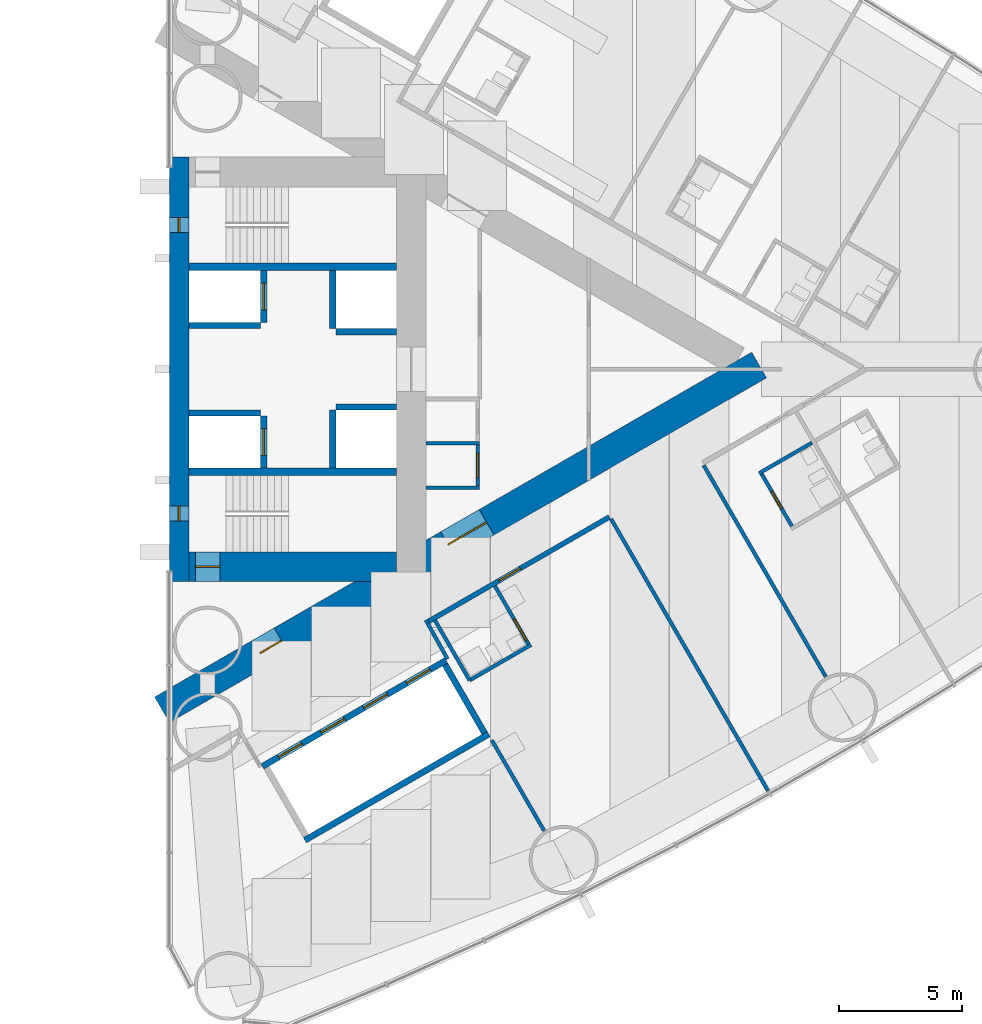
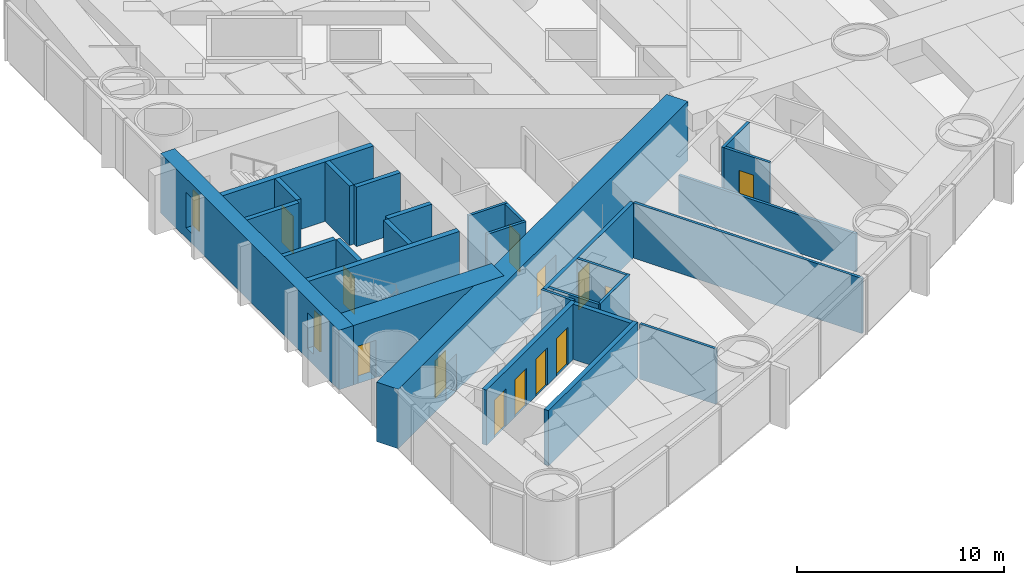
# One storey, part 14 of 19: 29 walls, 13 doors, 2 windows, 15 openings.
"""IFC4 building model written with IfcOpenShell, lengths in metres."""

from ifc_helpers import new_model, si_unit, direction, frame, frame_2d, origin, place, context, subcontext, project, spatial, rectangle, extrude, material, layer, layer_set, type_object, element, fill, save


model = new_model("IFC4")

# Units and contexts
model_context = context("Model", 3, precision=1e-05, world=origin(), true_north=direction((0.0, 1.0)))
body_context = subcontext(model_context, "Body", "Model", "MODEL_VIEW")
ifc_project = project(units=[si_unit("LENGTHUNIT", "METRE"), si_unit("AREAUNIT", "SQUARE_METRE"), si_unit("VOLUMEUNIT", "CUBIC_METRE"), si_unit("PLANEANGLEUNIT", "RADIAN"), si_unit("MASSUNIT", "GRAM", prefix="KILO")], contexts=[model_context])

# Site, building, storey
site_placement = place(None, origin())
site = spatial("IfcSite", under=ifc_project, at=site_placement, CompositionType="ELEMENT")
building_placement = place(site_placement, origin())
building = spatial("IfcBuilding", under=site, at=building_placement, Name="Lancet Gate Hotel", CompositionType="ELEMENT")
storey_placement = place(building_placement, frame((0.0, 0.0, 25.0)))
storey = spatial("IfcBuildingStorey", under=building, at=storey_placement, Name="L05", CompositionType="ELEMENT", Elevation=25.0)

# Wall, opening, door
ifc_material_1 = material(Name="Moisture resistant board partition")
ifc_layer_1 = layer(ifc_material_1, 0.14990234375)
ifc_layer_set_1 = layer_set([ifc_layer_1], Name="Bathroom wall 150")
wall_type_1 = type_object("IfcWallType", Name="Bathroom wall 150", PredefinedType="PARTITIONING", material=ifc_layer_set_1)
wall_1_placement = place(storey_placement, frame((51.47119140625, -4.1748046875, 0.0), z_axis=(0.0, 0.0, 1.0), x_axis=(0.500006934395, -0.866021400173, 0.0)))
wall_1 = element("IfcWall", 1, at=wall_1_placement, inside=storey, type_object=wall_type_1, Name="T2 bathroom wall 150 L05", PredefinedType="PARTITIONING", context=body_context, shape_type="SweptSolid", body=[
    extrude(rectangle(XDim=2.60009765625, YDim=0.14990234375, at=frame_2d((1.300048828125, 0.0))), origin(), (0.0, 0.0, 1.0), 3.25),
])
opening_1_placement = place(wall_1_placement, frame((0.89990234375, 0.0, 0.0)))
opening_1 = element("IfcOpeningElement", 2, at=opening_1_placement, cuts=wall_1, Name="Opening 0556-B", PredefinedType="OPENING", context=body_context, shape_type="SweptSolid", body=[
    extrude(rectangle(XDim=0.800048828125, YDim=2.199951171875, at=frame_2d((0.39990234375, 1.10009765625))), frame((0.0, 0.0849609375, 0.0), z_axis=(0.0, -1.0, 0.0), x_axis=(1.0, 0.0, 0.0)), (0.0, 0.0, 1.0), 0.169921875),
])
ifc_material_2 = material(Name="Timber door set", Category="wood")
door_type_1 = type_object("IfcDoorType", Name="Bathroom door 800", OperationType="SINGLE_SWING_RIGHT", PredefinedType="DOOR", material=ifc_material_2)
door_1_placement = place(opening_1_placement, origin())
door_1 = element("IfcDoor", 3, at=door_1_placement, inside=storey, type_object=door_type_1, Name="0556-B", OperationType="SINGLE_SWING_RIGHT", OverallHeight=2.199951171875, OverallWidth=0.800048828125, PredefinedType="DOOR", context=body_context, shape_type="SweptSolid", body=[
    extrude(rectangle(XDim=0.800048828125, YDim=2.199951171875, at=frame_2d((0.39990234375, 1.10009765625))), frame((0.0, 0.02490234375, 0.0), z_axis=(0.0, -1.0, 0.0), x_axis=(1.0, 0.0, 0.0)), (0.0, 0.0, 1.0), 0.050048828125),
])
fill(opening_1, door_1)

# Walls
wall_2_placement = place(storey_placement, frame((51.40625, -4.21240234375, 0.0), z_axis=(0.0, 0.0, 1.0), x_axis=(0.866031185235, 0.4999899861, 0.0)))
element("IfcWall", 4, at=wall_2_placement, inside=storey, type_object=wall_type_1, Name="T2 bathroom wall 150 L05", PredefinedType="PARTITIONING", context=body_context, shape_type="SweptSolid", body=[
    extrude(rectangle(XDim=2.47509765625, YDim=0.14990234375, at=frame_2d((1.237548828125, 0.0))), origin(), (0.0, 0.0, 1.0), 3.25),
])
wall_3_placement = place(storey_placement, frame((39.669921875, -12.60498046875, 0.0), z_axis=(0.0, 0.0, 1.0), x_axis=(0.866018712932, 0.500011588718, 0.0)))
element("IfcWall", 5, at=wall_3_placement, inside=storey, type_object=wall_type_1, Name="T2 bathroom wall 150 L05", PredefinedType="PARTITIONING", context=body_context, shape_type="SweptSolid", body=[
    extrude(rectangle(XDim=2.875, YDim=0.14990234375, at=frame_2d((1.4375, 0.0))), origin(), (0.0, 0.0, 1.0), 3.25),
])

# Wall, opening, door
wall_4_placement = place(storey_placement, frame((40.694580078125, -8.780029296875, 0.0), z_axis=(0.0, 0.0, 1.0), x_axis=(0.500049511043, -0.865996816683, 0.0)))
wall_4 = element("IfcWall", 6, at=wall_4_placement, inside=storey, type_object=wall_type_1, Name="T2 bathroom wall 150 L05", PredefinedType="PARTITIONING", context=body_context, shape_type="SweptSolid", body=[
    extrude(rectangle(XDim=2.800048828125, YDim=0.14990234375, at=frame_2d((1.39990234375, 0.0))), origin(), (0.0, 0.0, 1.0), 3.25),
])
opening_2_placement = place(wall_4_placement, frame((1.550048828125, 0.0, 0.0)))
opening_2 = element("IfcOpeningElement", 7, at=opening_2_placement, cuts=wall_4, Name="Opening 0553-B", PredefinedType="OPENING", context=body_context, shape_type="SweptSolid", body=[
    extrude(rectangle(XDim=1.0, YDim=2.199951171875, at=frame_2d((0.5, 1.10009765625))), frame((0.0, 0.0849609375, 0.0), z_axis=(0.0, -1.0, 0.0), x_axis=(1.0, 0.0, 0.0)), (0.0, 0.0, 1.0), 0.169921875),
])
ifc_material_3 = material(Name="Timber door set", Category="wood")
door_type_2 = type_object("IfcDoorType", Name="Accessible en-suite door 1000", OperationType="SINGLE_SWING_RIGHT", PredefinedType="DOOR", material=ifc_material_3)
door_2_placement = place(opening_2_placement, origin())
door_2 = element("IfcDoor", 8, at=door_2_placement, inside=storey, type_object=door_type_2, Name="0553-B", OperationType="SINGLE_SWING_RIGHT", OverallHeight=2.199951171875, OverallWidth=1.0, PredefinedType="DOOR", context=body_context, shape_type="SweptSolid", body=[
    extrude(rectangle(XDim=1.0, YDim=2.199951171875, at=frame_2d((0.5, 1.10009765625))), frame((0.0, 0.02490234375, 0.0), z_axis=(0.0, -1.0, 0.0), x_axis=(1.0, 0.0, 0.0)), (0.0, 0.0, 1.0), 0.050048828125),
])
fill(opening_2, door_2)

# Wall
wall_5_placement = place(storey_placement, frame((38.269775390625, -10.18017578125, 0.0), z_axis=(0.0, 0.0, 1.0), x_axis=(0.500049511043, -0.865996816683, 0.0)))
element("IfcWall", 9, at=wall_5_placement, inside=storey, type_object=wall_type_1, Name="T2 bathroom wall 150 L05", PredefinedType="PARTITIONING", context=body_context, shape_type="SweptSolid", body=[
    extrude(rectangle(XDim=2.800048828125, YDim=0.14990234375, at=frame_2d((1.39990234375, 0.0))), origin(), (0.0, 0.0, 1.0), 3.25),
])

# Wall, openings, doors
ifc_material_4 = material(Name="Concrete C70/85", Category="concrete")
ifc_layer_2 = layer(ifc_material_4, 1.199951171875)
ifc_layer_set_2 = layer_set([ifc_layer_2], Name="Buttress wall 1200")
wall_type_2 = type_object("IfcWallType", Name="Buttress wall 1200", PredefinedType="SHEAR", material=ifc_layer_set_2)
wall_6_placement = place(storey_placement, frame((27.199951171875, -13.800048828125, 0.0), z_axis=(0.0, 0.0, 1.0), x_axis=(0.866027159892, 0.499996958321, 0.0)))
wall_6 = element("IfcWall", 10, at=wall_6_placement, inside=storey, type_object=wall_type_2, Name="T2 buttress wall S L05", PredefinedType="SHEAR", context=body_context, shape_type="SweptSolid", body=[
    extrude(rectangle(XDim=27.946533203125, YDim=1.199951171875, at=frame_2d((13.97314453125, 0.0))), origin(), (0.0, 0.0, 1.0), 3.5),
])
opening_3_placement = place(wall_6_placement, frame((4.60009765625, 0.0, 0.0)))
opening_3 = element("IfcOpeningElement", 11, at=opening_3_placement, cuts=wall_6, Name="Opening T2-L05-LS", PredefinedType="OPENING", context=body_context, shape_type="SweptSolid", body=[
    extrude(rectangle(XDim=1.0, YDim=2.199951171875, at=frame_2d((0.5, 1.10009765625))), frame((0.0, 0.60986328125, 0.0), z_axis=(0.0, -1.0, 0.0), x_axis=(1.0, 0.0, 0.0)), (0.0, 0.0, 1.0), 1.219970703125),
])
opening_4_placement = place(wall_6_placement, frame((13.39453125, 0.0, 0.0)))
opening_4 = element("IfcOpeningElement", 12, at=opening_4_placement, cuts=wall_6, Name="Opening T2-L05-LHS", PredefinedType="OPENING", context=body_context, shape_type="SweptSolid", body=[
    extrude(rectangle(XDim=1.800048828125, YDim=2.199951171875, at=frame_2d((0.89990234375, 1.10009765625))), frame((0.0, 0.60986328125, 0.0), z_axis=(0.0, -1.0, 0.0), x_axis=(1.0, 0.0, 0.0)), (0.0, 0.0, 1.0), 1.219970703125),
])
ifc_material_5 = material(Name="Timber door set", Category="wood")
door_type_3 = type_object("IfcDoorType", Name="Lobby double door 1800", OperationType="DOUBLE_DOOR_SINGLE_SWING", PredefinedType="DOOR", material=ifc_material_5)
door_3_placement = place(opening_4_placement, origin())
door_3 = element("IfcDoor", 13, at=door_3_placement, inside=storey, type_object=door_type_3, Name="T2-L05-LHS", OperationType="DOUBLE_DOOR_SINGLE_SWING", OverallHeight=2.199951171875, OverallWidth=1.800048828125, PredefinedType="DOOR", context=body_context, shape_type="SweptSolid", body=[
    extrude(rectangle(XDim=1.800048828125, YDim=2.199951171875, at=frame_2d((0.89990234375, 1.10009765625))), frame((0.0, 0.02490234375, 0.0), z_axis=(0.0, -1.0, 0.0), x_axis=(1.0, 0.0, 0.0)), (0.0, 0.0, 1.0), 0.050048828125),
])
fill(opening_4, door_3)
ifc_material_6 = material(Name="Timber door set", Category="wood")
door_type_4 = type_object("IfcDoorType", Name="Stair lobby door 1000", OperationType="SINGLE_SWING_LEFT", PredefinedType="DOOR", material=ifc_material_6)
door_4_placement = place(opening_3_placement, origin())
door_4 = element("IfcDoor", 14, at=door_4_placement, inside=storey, type_object=door_type_4, Name="T2-L05-LS", OperationType="SINGLE_SWING_LEFT", OverallHeight=2.199951171875, OverallWidth=1.0, PredefinedType="DOOR", context=body_context, shape_type="SweptSolid", body=[
    extrude(rectangle(XDim=1.0, YDim=2.199951171875, at=frame_2d((0.5, 1.10009765625))), frame((0.0, 0.02490234375, 0.0), z_axis=(0.0, -1.0, 0.0), x_axis=(1.0, 0.0, 0.0)), (0.0, 0.0, 1.0), 0.050048828125),
])
fill(opening_3, door_4)

# Wall, opening, door
ifc_material_7 = material(Name="Concrete C70/85", Category="concrete")
ifc_layer_3 = layer(ifc_material_7, 1.199951171875)
ifc_layer_set_3 = layer_set([ifc_layer_3], Name="Core wall 1200")
wall_type_3 = type_object("IfcWallType", Name="Core wall 1200", PredefinedType="SHEAR", material=ifc_layer_set_3)
wall_7_placement = place(storey_placement, frame((28.300048828125, -8.0, 0.0), z_axis=(0.0, 0.0, 1.0), x_axis=(1.0, 0.0, 0.0)))
wall_7 = element("IfcWall", 15, at=wall_7_placement, inside=storey, type_object=wall_type_3, Name="T2 core wall side-S L05", PredefinedType="SHEAR", context=body_context, shape_type="SweptSolid", body=[
    extrude(rectangle(XDim=8.39990234375, YDim=1.199951171875, at=frame_2d((4.199951171875, 0.0))), origin(), (0.0, 0.0, 1.0), 3.5),
])
opening_5_placement = place(wall_7_placement, frame((0.25, 0.0, 0.0)))
opening_5 = element("IfcOpeningElement", 16, at=opening_5_placement, cuts=wall_7, Name="Opening T2-L05-ST1", PredefinedType="OPENING", context=body_context, shape_type="SweptSolid", body=[
    extrude(rectangle(XDim=1.0, YDim=2.199951171875, at=frame_2d((0.5, 1.10009765625))), frame((0.0, 0.60986328125, 0.0), z_axis=(0.0, -1.0, 0.0), x_axis=(1.0, 0.0, 0.0)), (0.0, 0.0, 1.0), 1.219970703125),
])
ifc_material_8 = material(Name="Timber door set", Category="wood")
door_type_5 = type_object("IfcDoorType", Name="Stair door 1000", OperationType="SINGLE_SWING_RIGHT", PredefinedType="DOOR", material=ifc_material_8)
door_5_placement = place(opening_5_placement, origin())
door_5 = element("IfcDoor", 17, at=door_5_placement, inside=storey, type_object=door_type_5, Name="T2-L05-ST1", OperationType="SINGLE_SWING_RIGHT", OverallHeight=2.199951171875, OverallWidth=1.0, PredefinedType="DOOR", context=body_context, shape_type="SweptSolid", body=[
    extrude(rectangle(XDim=1.0, YDim=2.199951171875, at=frame_2d((0.5, 1.10009765625))), frame((0.0, 0.02490234375, 0.0), z_axis=(0.0, -1.0, 0.0), x_axis=(1.0, 0.0, 0.0)), (0.0, 0.0, 1.0), 0.050048828125),
])
fill(opening_5, door_5)

# Wall, openings, windows
ifc_material_9 = material(Name="Concrete C70/85", Category="concrete")
ifc_layer_4 = layer(ifc_material_9, 0.800048828125)
ifc_layer_set_4 = layer_set([ifc_layer_4], Name="Core wall 800")
wall_type_4 = type_object("IfcWallType", Name="Core wall 800", PredefinedType="SHEAR", material=ifc_layer_set_4)
wall_8_placement = place(storey_placement, frame((27.89990234375, -8.60009765625, 0.0), z_axis=(0.0, 0.0, 1.0), x_axis=(0.0, 1.0, 0.0)))
wall_8 = element("IfcWall", 18, at=wall_8_placement, inside=storey, type_object=wall_type_4, Name="T2 core wall front L05", PredefinedType="SHEAR", context=body_context, shape_type="SweptSolid", body=[
    extrude(rectangle(XDim=17.2001953125, YDim=0.800048828125, at=frame_2d((8.60009765625, 0.0))), origin(), (0.0, 0.0, 1.0), 3.5),
])
opening_6_placement = place(wall_8_placement, frame((2.449951171875, 0.0, 0.60009765625)))
opening_6 = element("IfcOpeningElement", 19, at=opening_6_placement, cuts=wall_8, Name="Opening LW1", PredefinedType="OPENING", context=body_context, shape_type="SweptSolid", body=[
    extrude(rectangle(XDim=0.60009765625, YDim=2.10009765625, at=frame_2d((0.300048828125, 1.050048828125))), frame((0.0, 0.409912109375, 0.0), z_axis=(0.0, -1.0, 0.0), x_axis=(1.0, 0.0, 0.0)), (0.0, 0.0, 1.0), 0.820068359375),
])
opening_7_placement = place(wall_8_placement, frame((14.14990234375, 0.0, 0.60009765625)))
opening_7 = element("IfcOpeningElement", 20, at=opening_7_placement, cuts=wall_8, Name="Opening LW1", PredefinedType="OPENING", context=body_context, shape_type="SweptSolid", body=[
    extrude(rectangle(XDim=0.60009765625, YDim=2.10009765625, at=frame_2d((0.300048828125, 1.050048828125))), frame((0.0, 0.409912109375, 0.0), z_axis=(0.0, -1.0, 0.0), x_axis=(1.0, 0.0, 0.0)), (0.0, 0.0, 1.0), 0.820068359375),
])
ifc_material_10 = material(Name="Fire-resisting glazed steel window", Category="steel")
window_type = type_object("IfcWindowType", Name="Lancet window 600x2100", PartitioningType="SINGLE_PANEL", PredefinedType="WINDOW", material=ifc_material_10)
window_1_placement = place(opening_6_placement, origin())
window_1 = element("IfcWindow", 21, at=window_1_placement, inside=storey, type_object=window_type, Name="T2 stair window S L05", OverallHeight=2.10009765625, OverallWidth=0.60009765625, PartitioningType="SINGLE_PANEL", PredefinedType="WINDOW", context=body_context, shape_type="SweptSolid", body=[
    extrude(rectangle(XDim=0.60009765625, YDim=2.10009765625, at=frame_2d((0.300048828125, 1.050048828125))), frame((0.0, 0.030029296875, 0.0), z_axis=(0.0, -1.0, 0.0), x_axis=(1.0, 0.0, 0.0)), (0.0, 0.0, 1.0), 0.06005859375),
])
fill(opening_6, window_1)
window_2_placement = place(opening_7_placement, origin())
window_2 = element("IfcWindow", 22, at=window_2_placement, inside=storey, type_object=window_type, Name="T2 stair window N L05", OverallHeight=2.10009765625, OverallWidth=0.60009765625, PartitioningType="SINGLE_PANEL", PredefinedType="WINDOW", context=body_context, shape_type="SweptSolid", body=[
    extrude(rectangle(XDim=0.60009765625, YDim=2.10009765625, at=frame_2d((0.300048828125, 1.050048828125))), frame((0.0, 0.030029296875, 0.0), z_axis=(0.0, -1.0, 0.0), x_axis=(1.0, 0.0, 0.0)), (0.0, 0.0, 1.0), 0.06005859375),
])
fill(opening_7, window_2)

# Wall, opening, door
ifc_material_11 = material(Name="Gypsum board partition")
ifc_layer_5 = layer(ifc_material_11, 0.199951171875)
ifc_layer_set_5 = layer_set([ifc_layer_5], Name="Corridor wall 200")
wall_type_5 = type_object("IfcWallType", Name="Corridor wall 200", PredefinedType="PARTITIONING", material=ifc_layer_set_5)
wall_9_placement = place(storey_placement, frame((37.9599609375, -10.243408203125, 0.0), z_axis=(0.0, 0.0, 1.0), x_axis=(0.866024617314, 0.500001362204, 0.0)))
wall_9 = element("IfcWall", 23, at=wall_9_placement, inside=storey, type_object=wall_type_5, Name="T2 corridor wall 200 L05", PredefinedType="PARTITIONING", context=body_context, shape_type="SweptSolid", body=[
    extrude(rectangle(XDim=8.51171875, YDim=0.199951171875, at=frame_2d((4.255859375, 0.0))), origin(), (0.0, 0.0, 1.0), 3.25),
])
opening_8_placement = place(wall_9_placement, frame((3.35009765625, 0.0, 0.0)))
opening_8 = element("IfcOpeningElement", 24, at=opening_8_placement, cuts=wall_9, Name="Opening 0553-E", PredefinedType="OPENING", context=body_context, shape_type="SweptSolid", body=[
    extrude(rectangle(XDim=1.0, YDim=2.199951171875, at=frame_2d((0.5, 1.10009765625))), frame((0.0, 0.10986328125, 0.0), z_axis=(0.0, -1.0, 0.0), x_axis=(1.0, 0.0, 0.0)), (0.0, 0.0, 1.0), 0.219970703125),
])
ifc_material_12 = material(Name="Timber door set", Category="wood")
door_type_6 = type_object("IfcDoorType", Name="Accessible guest room door 1000", OperationType="SINGLE_SWING_LEFT", PredefinedType="DOOR", material=ifc_material_12)
door_6_placement = place(opening_8_placement, origin())
door_6 = element("IfcDoor", 25, at=door_6_placement, inside=storey, type_object=door_type_6, Name="0553-E", OperationType="SINGLE_SWING_LEFT", OverallHeight=2.199951171875, OverallWidth=1.0, PredefinedType="DOOR", context=body_context, shape_type="SweptSolid", body=[
    extrude(rectangle(XDim=1.0, YDim=2.199951171875, at=frame_2d((0.5, 1.10009765625))), frame((0.0, 0.02490234375, 0.0), z_axis=(0.0, -1.0, 0.0), x_axis=(1.0, 0.0, 0.0)), (0.0, 0.0, 1.0), 0.050048828125),
])
fill(opening_8, door_6)

# Wall, openings, doors
ifc_material_13 = material(Name="Gypsum board partition")
ifc_layer_6 = layer(ifc_material_13, 0.25)
ifc_layer_set_6 = layer_set([ifc_layer_6], Name="Lift shaft partition 250")
wall_type_6 = type_object("IfcWallType", Name="Lift shaft partition 250", PredefinedType="PARTITIONING", material=ifc_layer_set_6)
wall_10_placement = place(storey_placement, frame((31.2705078125, -16.09716796875, 0.0), z_axis=(0.0, 0.0, 1.0), x_axis=(0.86604045752, 0.499973925258, 0.0)))
wall_10 = element("IfcWall", 26, at=wall_10_placement, inside=storey, type_object=wall_type_6, Name="T2 lift shaft wall LR L05", PredefinedType="PARTITIONING", context=body_context, shape_type="SweptSolid", body=[
    extrude(rectangle(XDim=8.60009765625, YDim=0.25, at=frame_2d((4.300048828125, 0.0))), origin(), (0.0, 0.0, 1.0), 3.25),
])
opening_9_placement = place(wall_10_placement, frame((0.75, 0.0, 0.0)))
opening_9 = element("IfcOpeningElement", 27, at=opening_9_placement, cuts=wall_10, Name="Opening T2-LR1-L05", PredefinedType="OPENING", context=body_context, shape_type="SweptSolid", body=[
    extrude(rectangle(XDim=1.10009765625, YDim=2.199951171875, at=frame_2d((0.550048828125, 1.10009765625))), frame((0.0, 0.135009765625, 0.0), z_axis=(0.0, -1.0, 0.0), x_axis=(1.0, 0.0, 0.0)), (0.0, 0.0, 1.0), 0.27001953125),
])
opening_10_placement = place(wall_10_placement, frame((2.75, 0.0, 0.0)))
opening_10 = element("IfcOpeningElement", 28, at=opening_10_placement, cuts=wall_10, Name="Opening T2-LR2-L05", PredefinedType="OPENING", context=body_context, shape_type="SweptSolid", body=[
    extrude(rectangle(XDim=1.10009765625, YDim=2.199951171875, at=frame_2d((0.550048828125, 1.10009765625))), frame((0.0, 0.135009765625, 0.0), z_axis=(0.0, -1.0, 0.0), x_axis=(1.0, 0.0, 0.0)), (0.0, 0.0, 1.0), 0.27001953125),
])
opening_11_placement = place(wall_10_placement, frame((4.75, 0.0, 0.0)))
opening_11 = element("IfcOpeningElement", 29, at=opening_11_placement, cuts=wall_10, Name="Opening T2-LR3-L05", PredefinedType="OPENING", context=body_context, shape_type="SweptSolid", body=[
    extrude(rectangle(XDim=1.10009765625, YDim=2.199951171875, at=frame_2d((0.550048828125, 1.10009765625))), frame((0.0, 0.135009765625, 0.0), z_axis=(0.0, -1.0, 0.0), x_axis=(1.0, 0.0, 0.0)), (0.0, 0.0, 1.0), 0.27001953125),
])
opening_12_placement = place(wall_10_placement, frame((6.75, 0.0, 0.0)))
opening_12 = element("IfcOpeningElement", 30, at=opening_12_placement, cuts=wall_10, Name="Opening T2-LR4-L05", PredefinedType="OPENING", context=body_context, shape_type="SweptSolid", body=[
    extrude(rectangle(XDim=1.10009765625, YDim=2.199951171875, at=frame_2d((0.550048828125, 1.10009765625))), frame((0.0, 0.135009765625, 0.0), z_axis=(0.0, -1.0, 0.0), x_axis=(1.0, 0.0, 0.0)), (0.0, 0.0, 1.0), 0.27001953125),
])
ifc_material_14 = material(Name="Steel door set", Category="steel")
door_type_7 = type_object("IfcDoorType", Name="Lift landing door 1100", OperationType="DOUBLE_DOOR_SLIDING", PredefinedType="USERDEFINED", material=ifc_material_14)
door_7_placement = place(opening_9_placement, origin())
door_7 = element("IfcDoor", 31, at=door_7_placement, inside=storey, type_object=door_type_7, Name="T2-LR1-L05", ObjectType="LIFT LANDING DOOR", OperationType="DOUBLE_DOOR_SLIDING", OverallHeight=2.199951171875, OverallWidth=1.10009765625, PredefinedType="USERDEFINED", context=body_context, shape_type="SweptSolid", body=[
    extrude(rectangle(XDim=1.10009765625, YDim=2.199951171875, at=frame_2d((0.550048828125, 1.10009765625))), frame((0.0, 0.02490234375, 0.0), z_axis=(0.0, -1.0, 0.0), x_axis=(1.0, 0.0, 0.0)), (0.0, 0.0, 1.0), 0.050048828125),
])
fill(opening_9, door_7)
door_8_placement = place(opening_10_placement, origin())
door_8 = element("IfcDoor", 32, at=door_8_placement, inside=storey, type_object=door_type_7, Name="T2-LR2-L05", ObjectType="LIFT LANDING DOOR", OperationType="DOUBLE_DOOR_SLIDING", OverallHeight=2.199951171875, OverallWidth=1.10009765625, PredefinedType="USERDEFINED", context=body_context, shape_type="SweptSolid", body=[
    extrude(rectangle(XDim=1.10009765625, YDim=2.199951171875, at=frame_2d((0.550048828125, 1.10009765625))), frame((0.0, 0.02490234375, 0.0), z_axis=(0.0, -1.0, 0.0), x_axis=(1.0, 0.0, 0.0)), (0.0, 0.0, 1.0), 0.050048828125),
])
fill(opening_10, door_8)
door_9_placement = place(opening_11_placement, origin())
door_9 = element("IfcDoor", 33, at=door_9_placement, inside=storey, type_object=door_type_7, Name="T2-LR3-L05", ObjectType="LIFT LANDING DOOR", OperationType="DOUBLE_DOOR_SLIDING", OverallHeight=2.199951171875, OverallWidth=1.10009765625, PredefinedType="USERDEFINED", context=body_context, shape_type="SweptSolid", body=[
    extrude(rectangle(XDim=1.10009765625, YDim=2.199951171875, at=frame_2d((0.550048828125, 1.10009765625))), frame((0.0, 0.02490234375, 0.0), z_axis=(0.0, -1.0, 0.0), x_axis=(1.0, 0.0, 0.0)), (0.0, 0.0, 1.0), 0.050048828125),
])
fill(opening_11, door_9)
door_10_placement = place(opening_12_placement, origin())
door_10 = element("IfcDoor", 34, at=door_10_placement, inside=storey, type_object=door_type_7, Name="T2-LR4-L05", ObjectType="LIFT LANDING DOOR", OperationType="DOUBLE_DOOR_SLIDING", OverallHeight=2.199951171875, OverallWidth=1.10009765625, PredefinedType="USERDEFINED", context=body_context, shape_type="SweptSolid", body=[
    extrude(rectangle(XDim=1.10009765625, YDim=2.199951171875, at=frame_2d((0.550048828125, 1.10009765625))), frame((0.0, 0.02490234375, 0.0), z_axis=(0.0, -1.0, 0.0), x_axis=(1.0, 0.0, 0.0)), (0.0, 0.0, 1.0), 0.050048828125),
])
fill(opening_12, door_10)

# Walls
wall_11_placement = place(storey_placement, frame((32.99560546875, -19.085693359375, 0.0), z_axis=(0.0, 0.0, 1.0), x_axis=(0.866028165386, 0.499995216735, 0.0)))
element("IfcWall", 35, at=wall_11_placement, inside=storey, type_object=wall_type_6, Name="T2 lift shaft wall LR L05", PredefinedType="PARTITIONING", context=body_context, shape_type="SweptSolid", body=[
    extrude(rectangle(XDim=8.60009765625, YDim=0.25, at=frame_2d((4.300048828125, 0.0))), origin(), (0.0, 0.0, 1.0), 3.25),
])
wall_12_placement = place(storey_placement, frame((38.672607421875, -11.968017578125, 0.0), z_axis=(0.0, 0.0, 1.0), x_axis=(0.499929347863, -0.866066190972, 0.0)))
element("IfcWall", 36, at=wall_12_placement, inside=storey, type_object=wall_type_6, Name="T2 lift shaft wall LR L05", PredefinedType="PARTITIONING", context=body_context, shape_type="SweptSolid", body=[
    extrude(rectangle(XDim=3.20068359375, YDim=0.25, at=frame_2d((1.600341796875, 0.0))), origin(), (0.0, 0.0, 1.0), 3.25),
])

# Wall, opening, door
ifc_material_15 = material(Name="Concrete C50/60", Category="concrete")
ifc_layer_7 = layer(ifc_material_15, 0.25)
ifc_layer_set_7 = layer_set([ifc_layer_7], Name="Lift shaft wall 250")
wall_type_7 = type_object("IfcWallType", Name="Lift shaft wall 250", PredefinedType="SHEAR", material=ifc_layer_set_7)
wall_13_placement = place(storey_placement, frame((31.324951171875, -4.0, 0.0), z_axis=(0.0, 0.0, 1.0), x_axis=(0.0, 1.0, 0.0)))
wall_13 = element("IfcWall", 37, at=wall_13_placement, inside=storey, type_object=wall_type_7, Name="T2 core wall row1-S L05", PredefinedType="SHEAR", context=body_context, shape_type="SweptSolid", body=[
    extrude(rectangle(XDim=2.10009765625, YDim=0.25, at=frame_2d((1.050048828125, 0.0))), origin(), (0.0, 0.0, 1.0), 3.5),
])
opening_13_placement = place(wall_13_placement, frame((0.5, 0.0, 0.0)))
opening_13 = element("IfcOpeningElement", 38, at=opening_13_placement, cuts=wall_13, Name="Opening T2-SL1-L05", PredefinedType="OPENING", context=body_context, shape_type="SweptSolid", body=[
    extrude(rectangle(XDim=1.10009765625, YDim=2.199951171875, at=frame_2d((0.550048828125, 1.10009765625))), frame((0.0, 0.135009765625, 0.0), z_axis=(0.0, -1.0, 0.0), x_axis=(1.0, 0.0, 0.0)), (0.0, 0.0, 1.0), 0.27001953125),
])
ifc_material_16 = material(Name="Timber door set", Category="wood")
door_type_8 = type_object("IfcDoorType", Name="Service lift landing door 1100", OperationType="SLIDING_TO_LEFT", PredefinedType="USERDEFINED", material=ifc_material_16)
door_11_placement = place(opening_13_placement, origin())
door_11 = element("IfcDoor", 39, at=door_11_placement, inside=storey, type_object=door_type_8, Name="T2-SL1-L05", ObjectType="LIFT LANDING DOOR", OperationType="SLIDING_TO_LEFT", OverallHeight=2.199951171875, OverallWidth=1.10009765625, PredefinedType="USERDEFINED", context=body_context, shape_type="SweptSolid", body=[
    extrude(rectangle(XDim=1.10009765625, YDim=2.199951171875, at=frame_2d((0.550048828125, 1.10009765625))), frame((0.0, 0.02490234375, 0.0), z_axis=(0.0, -1.0, 0.0), x_axis=(1.0, 0.0, 0.0)), (0.0, 0.0, 1.0), 0.050048828125),
])
fill(opening_13, door_11)

# Walls
wall_14_placement = place(storey_placement, frame((34.125, -4.0, 0.0), z_axis=(0.0, 0.0, 1.0), x_axis=(0.0, 1.0, 0.0)))
element("IfcWall", 40, at=wall_14_placement, inside=storey, type_object=wall_type_7, Name="T2 core wall row2-S L05", PredefinedType="SHEAR", context=body_context, shape_type="SweptSolid", body=[
    extrude(rectangle(XDim=2.35009765625, YDim=0.25, at=frame_2d((1.175048828125, 0.0))), origin(), (0.0, 0.0, 1.0), 3.5),
])
wall_15_placement = place(storey_placement, frame((28.300048828125, -1.77490234375, 0.0), z_axis=(0.0, 0.0, 1.0), x_axis=(1.0, 0.0, 0.0)))
element("IfcWall", 41, at=wall_15_placement, inside=storey, type_object=wall_type_7, Name="T2 core wall pass1-S L05", PredefinedType="SHEAR", context=body_context, shape_type="SweptSolid", body=[
    extrude(rectangle(XDim=2.89990234375, YDim=0.25, at=frame_2d((1.449951171875, 0.0))), origin(), (0.0, 0.0, 1.0), 3.5),
])
wall_16_placement = place(storey_placement, frame((34.25, -1.52490234375, 0.0), z_axis=(0.0, 0.0, 1.0), x_axis=(1.0, 0.0, 0.0)))
element("IfcWall", 42, at=wall_16_placement, inside=storey, type_object=wall_type_7, Name="T2 core wall pass2-S L05", PredefinedType="SHEAR", context=body_context, shape_type="SweptSolid", body=[
    extrude(rectangle(XDim=2.449951171875, YDim=0.25, at=frame_2d((1.22509765625, 0.0))), origin(), (0.0, 0.0, 1.0), 3.5),
])

# Wall, opening, door
wall_17_placement = place(storey_placement, frame((31.324951171875, 1.89990234375, 0.0), z_axis=(0.0, 0.0, 1.0), x_axis=(0.0, 1.0, 0.0)))
wall_17 = element("IfcWall", 43, at=wall_17_placement, inside=storey, type_object=wall_type_7, Name="T2 core wall row1-N L05", PredefinedType="SHEAR", context=body_context, shape_type="SweptSolid", body=[
    extrude(rectangle(XDim=2.10009765625, YDim=0.25, at=frame_2d((1.050048828125, 0.0))), origin(), (0.0, 0.0, 1.0), 3.5),
])
opening_14_placement = place(wall_17_placement, frame((0.5, 0.0, 0.0)))
opening_14 = element("IfcOpeningElement", 44, at=opening_14_placement, cuts=wall_17, Name="Opening T2-FL2-L05", PredefinedType="OPENING", context=body_context, shape_type="SweptSolid", body=[
    extrude(rectangle(XDim=1.10009765625, YDim=2.199951171875, at=frame_2d((0.550048828125, 1.10009765625))), frame((0.0, 0.135009765625, 0.0), z_axis=(0.0, -1.0, 0.0), x_axis=(1.0, 0.0, 0.0)), (0.0, 0.0, 1.0), 0.27001953125),
])
ifc_material_17 = material(Name="Steel door set", Category="steel")
door_type_9 = type_object("IfcDoorType", Name="Firefighting lift landing door 1100", OperationType="SLIDING_TO_LEFT", PredefinedType="USERDEFINED", material=ifc_material_17)
door_12_placement = place(opening_14_placement, origin())
door_12 = element("IfcDoor", 45, at=door_12_placement, inside=storey, type_object=door_type_9, Name="T2-FL2-L05", ObjectType="LIFT LANDING DOOR", OperationType="SLIDING_TO_LEFT", OverallHeight=2.199951171875, OverallWidth=1.10009765625, PredefinedType="USERDEFINED", context=body_context, shape_type="SweptSolid", body=[
    extrude(rectangle(XDim=1.10009765625, YDim=2.199951171875, at=frame_2d((0.550048828125, 1.10009765625))), frame((0.0, 0.02490234375, 0.0), z_axis=(0.0, -1.0, 0.0), x_axis=(1.0, 0.0, 0.0)), (0.0, 0.0, 1.0), 0.050048828125),
])
fill(opening_14, door_12)

# Walls
wall_18_placement = place(storey_placement, frame((34.125, 1.64990234375, 0.0), z_axis=(0.0, 0.0, 1.0), x_axis=(0.0, 1.0, 0.0)))
element("IfcWall", 46, at=wall_18_placement, inside=storey, type_object=wall_type_7, Name="T2 core wall row2-N L05", PredefinedType="SHEAR", context=body_context, shape_type="SweptSolid", body=[
    extrude(rectangle(XDim=2.35009765625, YDim=0.25, at=frame_2d((1.175048828125, 0.0))), origin(), (0.0, 0.0, 1.0), 3.5),
])
wall_19_placement = place(storey_placement, frame((28.300048828125, 1.77490234375, 0.0), z_axis=(0.0, 0.0, 1.0), x_axis=(1.0, 0.0, 0.0)))
element("IfcWall", 47, at=wall_19_placement, inside=storey, type_object=wall_type_7, Name="T2 core wall pass1-N L05", PredefinedType="SHEAR", context=body_context, shape_type="SweptSolid", body=[
    extrude(rectangle(XDim=2.89990234375, YDim=0.25, at=frame_2d((1.449951171875, 0.0))), origin(), (0.0, 0.0, 1.0), 3.5),
])
wall_20_placement = place(storey_placement, frame((34.25, 1.52490234375, 0.0), z_axis=(0.0, 0.0, 1.0), x_axis=(1.0, 0.0, 0.0)))
element("IfcWall", 48, at=wall_20_placement, inside=storey, type_object=wall_type_7, Name="T2 core wall pass2-N L05", PredefinedType="SHEAR", context=body_context, shape_type="SweptSolid", body=[
    extrude(rectangle(XDim=2.449951171875, YDim=0.25, at=frame_2d((1.22509765625, 0.0))), origin(), (0.0, 0.0, 1.0), 3.5),
])
ifc_material_18 = material(Name="Gypsum board partition")
ifc_layer_8 = layer(ifc_material_18, 0.14990234375)
ifc_layer_set_8 = layer_set([ifc_layer_8], Name="Party wall 150")
wall_type_8 = type_object("IfcWallType", Name="Party wall 150", PredefinedType="PARTITIONING", material=ifc_layer_set_8)
wall_21_placement = place(storey_placement, frame((45.40283203125, -6.061767578125, 0.0), z_axis=(0.0, 0.0, 1.0), x_axis=(0.500007077968, -0.866021317279, 0.0)))
element("IfcWall", 49, at=wall_21_placement, inside=storey, type_object=wall_type_8, Name="T2 party wall 150 L05", PredefinedType="PARTITIONING", context=body_context, shape_type="SweptSolid", body=[
    extrude(rectangle(XDim=12.721435546875, YDim=0.14990234375, at=frame_2d((6.36083984375, 0.0))), origin(), (0.0, 0.0, 1.0), 3.25),
])
wall_22_placement = place(storey_placement, frame((49.159423828125, -3.892822265625, 0.0), z_axis=(0.0, 0.0, 1.0), x_axis=(0.499998773722, -0.866026111775, 0.0)))
element("IfcWall", 50, at=wall_22_placement, inside=storey, type_object=wall_type_8, Name="T2 party wall 150 L05", PredefinedType="PARTITIONING", context=body_context, shape_type="SweptSolid", body=[
    extrude(rectangle(XDim=9.8916015625, YDim=0.14990234375, at=frame_2d((4.94580078125, 0.0))), origin(), (0.0, 0.0, 1.0), 2.25),
])
wall_23_placement = place(storey_placement, frame((40.5703125, -15.030029296875, 0.0), z_axis=(0.0, 0.0, 1.0), x_axis=(0.500012993597, -0.866017901798, 0.0)))
element("IfcWall", 51, at=wall_23_placement, inside=storey, type_object=wall_type_8, Name="T2 party wall 150 L05", PredefinedType="PARTITIONING", context=body_context, shape_type="SweptSolid", body=[
    extrude(rectangle(XDim=4.2431640625, YDim=0.14990234375, at=frame_2d((2.12158203125, 0.0))), origin(), (0.0, 0.0, 1.0), 3.25),
])
ifc_material_19 = material(Name="Gypsum board partition")
ifc_layer_9 = layer(ifc_material_19, 0.14990234375)
ifc_layer_set_9 = layer_set([ifc_layer_9], Name="Service room wall 150")
wall_type_9 = type_object("IfcWallType", Name="Service room wall 150", PredefinedType="PARTITIONING", material=ifc_layer_set_9)
wall_24_placement = place(storey_placement, frame((38.7734375, -11.742431640625, 0.0), z_axis=(0.0, 0.0, 1.0), x_axis=(-0.485528096672, 0.8742210632, 0.0)))
element("IfcWall", 52, at=wall_24_placement, inside=storey, type_object=wall_type_9, Name="T2 service room wall 150 L05", PredefinedType="PARTITIONING", context=body_context, shape_type="SweptSolid", body=[
    extrude(rectangle(XDim=1.80517578125, YDim=0.14990234375, at=frame_2d((0.902587890625, 0.0))), origin(), (0.0, 0.0, 1.0), 3.25),
])
for number, where, z_axis, x_axis, name in (
    (53, (37.89990234375, -3.0, 0.0), (0.0, 0.0, 1.0), (1.0, 0.0, 0.0), "T2 service room wall 150 L05"),
    (54, (37.89990234375, -4.800048828125, 0.0), (0.0, 0.0, 1.0), (1.0, 0.0, 0.0), "T2 service room wall 150 L05"),
):
    element("IfcWall", number, at=place(storey_placement, frame(where, z_axis=z_axis, x_axis=x_axis)), inside=storey, type_object=wall_type_9, Name=name, PredefinedType="PARTITIONING", context=body_context, shape_type="SweptSolid", body=[
        extrude(rectangle(XDim=2.175048828125, YDim=0.14990234375, at=frame_2d((1.08740234375, 0.0))), origin(), (0.0, 0.0, 1.0), 3.25),
    ])

# Wall, opening, door
wall_25_placement = place(storey_placement, frame((40.0, -4.875, 0.0), z_axis=(0.0, 0.0, 1.0), x_axis=(0.0, 1.0, 0.0)))
wall_25 = element("IfcWall", 55, at=wall_25_placement, inside=storey, type_object=wall_type_9, Name="T2 service room wall 150 L05", PredefinedType="PARTITIONING", context=body_context, shape_type="SweptSolid", body=[
    extrude(rectangle(XDim=1.949951171875, YDim=0.14990234375, at=frame_2d((0.97509765625, 0.0))), origin(), (0.0, 0.0, 1.0), 3.25),
])
opening_15_placement = place(wall_25_placement, frame((0.47509765625, 0.0, 0.0)))
opening_15 = element("IfcOpeningElement", 56, at=opening_15_placement, cuts=wall_25, Name="Opening T2-L05-HRS1", PredefinedType="OPENING", context=body_context, shape_type="SweptSolid", body=[
    extrude(rectangle(XDim=1.0, YDim=2.199951171875, at=frame_2d((0.5, 1.10009765625))), frame((0.0, 0.0849609375, 0.0), z_axis=(0.0, -1.0, 0.0), x_axis=(1.0, 0.0, 0.0)), (0.0, 0.0, 1.0), 0.169921875),
])
ifc_material_20 = material(Name="Timber door set", Category="wood")
door_type_10 = type_object("IfcDoorType", Name="Service door 1000", OperationType="SINGLE_SWING_LEFT", PredefinedType="DOOR", material=ifc_material_20)
door_13_placement = place(opening_15_placement, origin())
door_13 = element("IfcDoor", 57, at=door_13_placement, inside=storey, type_object=door_type_10, Name="T2-L05-HRS1", OperationType="SINGLE_SWING_LEFT", OverallHeight=2.199951171875, OverallWidth=1.0, PredefinedType="DOOR", context=body_context, shape_type="SweptSolid", body=[
    extrude(rectangle(XDim=1.0, YDim=2.199951171875, at=frame_2d((0.5, 1.10009765625))), frame((0.0, 0.02490234375, 0.0), z_axis=(0.0, -1.0, 0.0), x_axis=(1.0, 0.0, 0.0)), (0.0, 0.0, 1.0), 0.050048828125),
])
fill(opening_15, door_13)

# Walls
ifc_material_21 = material(Name="Concrete C50/60", Category="concrete")
ifc_layer_10 = layer(ifc_material_21, 0.300048828125)
ifc_layer_set_10 = layer_set([ifc_layer_10], Name="Stair enclosure wall 300")
wall_type_10 = type_object("IfcWallType", Name="Stair enclosure wall 300", PredefinedType="SHEAR", material=ifc_layer_set_10)
for number, where, z_axis, x_axis, name in (
    (58, (28.300048828125, -4.14990234375, 0.0), (0.0, 0.0, 1.0), (1.0, 0.0, 0.0), "T2 core wall stair-S L05"),
    (59, (28.300048828125, 4.14990234375, 0.0), (0.0, 0.0, 1.0), (1.0, 0.0, 0.0), "T2 core wall stair-N L05"),
):
    element("IfcWall", number, at=place(storey_placement, frame(where, z_axis=z_axis, x_axis=x_axis)), inside=storey, type_object=wall_type_10, Name=name, PredefinedType="SHEAR", context=body_context, shape_type="SweptSolid", body=[
        extrude(rectangle(XDim=8.39990234375, YDim=0.300048828125, at=frame_2d((4.199951171875, 0.0))), origin(), (0.0, 0.0, 1.0), 3.5),
    ])

save(model, "model.ifc")
